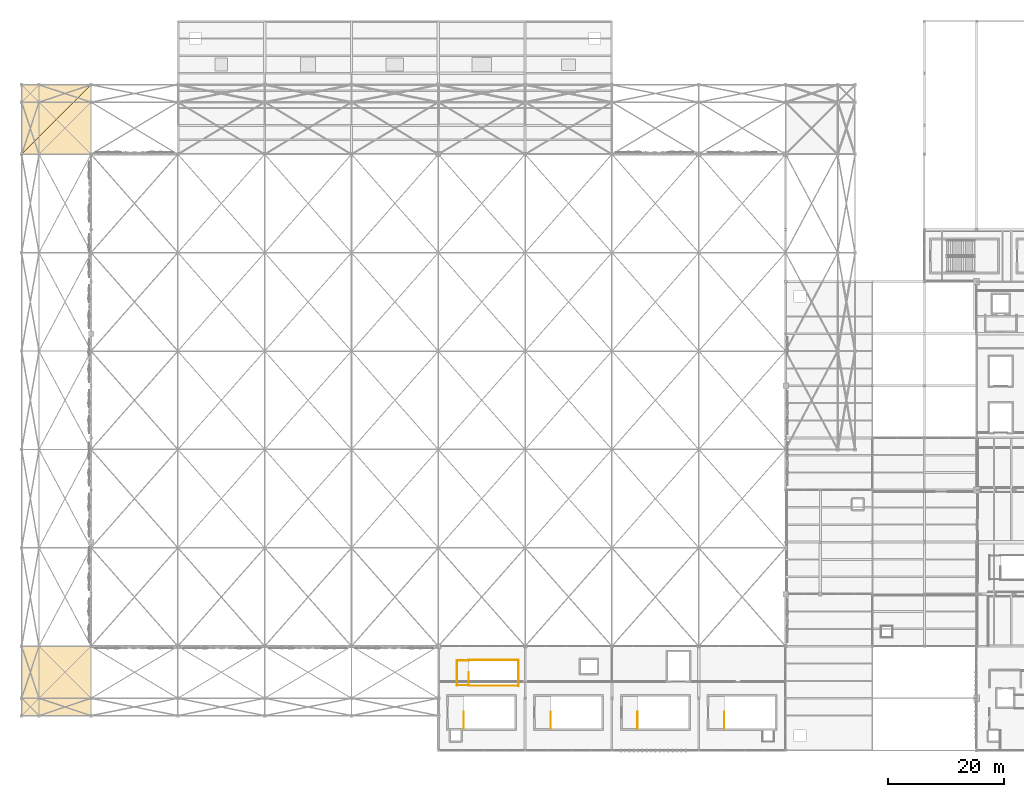
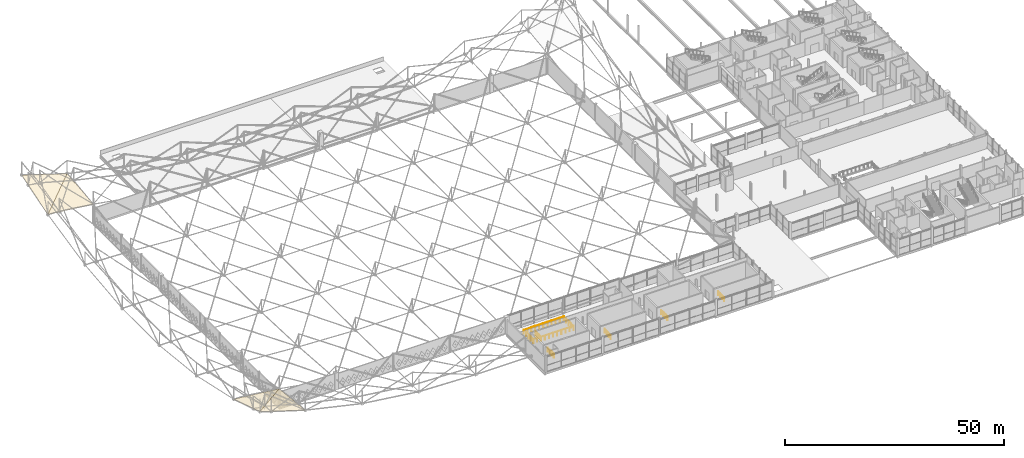
# One storey, part 215 of 224: 11 railings, 4 coverings.
"""IFC4 building model written with IfcOpenShell, lengths in metres."""

from ifc_helpers import new_model, si_unit, direction, frame, origin, origin_2d, place, context, subcontext, project, spatial, polyline, circle, outline, extrude, material, layer, layer_set, type_object, element, save


model = new_model("IFC4")

# Units and contexts
model_context = context("Model", 3, precision=1e-05, world=origin(), true_north=direction((0.0, 1.0)))
body_context = subcontext(model_context, "Body", "Model", "MODEL_VIEW")
ifc_project = project(units=[si_unit("LENGTHUNIT", "METRE"), si_unit("AREAUNIT", "SQUARE_METRE"), si_unit("VOLUMEUNIT", "CUBIC_METRE"), si_unit("PLANEANGLEUNIT", "RADIAN"), si_unit("MASSUNIT", "GRAM", prefix="KILO")], contexts=[model_context])

# Site, building, storey
site_placement = place(None, origin())
site = spatial("IfcSite", under=ifc_project, at=site_placement, CompositionType="ELEMENT")
building_placement = place(site_placement, origin())
building = spatial("IfcBuilding", under=site, at=building_placement, Name="Qamarlyn Nura Convention Centre", CompositionType="ELEMENT")
storey_placement = place(building_placement, frame((0.0, 0.0, 10.800048828125)))
storey = spatial("IfcBuildingStorey", under=building, at=storey_placement, Name="L02", CompositionType="ELEMENT", Elevation=10.800048828125)

# Coverings
ifc_material_1 = material(Name="High-albedo acoustic aluminium soffit", Category="aluminium")
ifc_layer = layer(ifc_material_1, 0.034912109375, Name="COV-SOFFIT-ALU")
ifc_layer_set = layer_set([ifc_layer], Name="High-albedo acoustic aluminium soffit")
covering_type = type_object("IfcCoveringType", Name="COV-SOFFIT-ALU", PredefinedType="CEILING", material=ifc_layer_set)
covering_1_placement = place(storey_placement, frame((-12.0, 6.0, 10.39990234375), z_axis=(0.29977009983, 0.10221979006, 0.948519373428), x_axis=(0.953514034323, 0.0, -0.301348612654)))
element("IfcCovering", 1, at=covering_1_placement, inside=storey, type_object=covering_type, Name="Exhibition swept corner soffit panel 12-6A", PredefinedType="CEILING", context=body_context, shape_type="SweptSolid", body=[
    extrude(outline(polyline([(0.0, 0.0), (12.585027139654894, 5.551115123125783e-17), (12.974735050111219, 12.063188936803007), (0.0, 0.0)])), origin(), (0.0, 0.0, -1.0), 0.034912109375),
])
covering_2_placement = place(storey_placement, frame((-12.0, 6.0, 10.39990234375), z_axis=(0.10221979006, 0.29977009983, 0.948519373428), x_axis=(0.677345580999, 0.677345580999, -0.287064326941)))
element("IfcCovering", 2, at=covering_2_placement, inside=storey, type_object=covering_type, Name="Exhibition swept corner soffit panel 12-6B", PredefinedType="CEILING", context=body_context, shape_type="SweptSolid", body=[
    extrude(outline(polyline([(0.0, 0.0), (17.716215085214756, 7.771561172376096e-16), (9.216832825187042, 8.56929990013215), (0.0, 0.0)])), origin(), (0.0, 0.0, -1.0), 0.034912109375),
])
covering_3_placement = place(storey_placement, frame((-12.0, 103.0, 6.607421875), z_axis=(0.106537528934, -0.106537528934, 0.988584599241), x_axis=(0.994243153282, 0.0, -0.10714733852)))
element("IfcCovering", 3, at=covering_3_placement, inside=storey, type_object=covering_type, Name="Exhibition swept corner soffit panel 12-103A", PredefinedType="CEILING", context=body_context, shape_type="SweptSolid", body=[
    extrude(outline(polyline([(0.0, 0.0), (12.0694821587539, 0.0), (11.930917839383687, 12.068686735095753), (0.0, 0.0)])), origin(), (0.0, 0.0, -1.0), 0.034912109375),
])
covering_4_placement = place(storey_placement, frame((-12.0, 103.0, 6.607421875), z_axis=(0.288532304668, -0.288532304668, 0.912961235938), x_axis=(0.707106781187, 0.707106781187, 0.0)))
element("IfcCovering", 4, at=covering_4_placement, inside=storey, type_object=covering_type, Name="Exhibition swept corner soffit panel 12-103B", PredefinedType="CEILING", context=body_context, shape_type="SweptSolid", body=[
    extrude(outline(polyline([(0.0, 0.0), (16.970562748477143, 0.0), (8.485281374238571, 9.294240587904438), (0.0, 0.0)])), origin(), (0.0, 0.0, -1.0), 0.034912109375),
])

# Railings
ifc_material_2 = material(Name="Marine Grade 316 stainless steel", Category="steel")
railing_type = type_object("IfcRailingType", Name="GRD-STAIR-112", PredefinedType="BALUSTRADE", material=ifc_material_2)
for number, where, name in (
    (5, (64.409912109375, 3.800048828125, 0.0), "L02 ST-05 top well guard 1"),
    (6, (79.409912109375, 3.800048828125, 0.0), "L02 ST-06 top well guard 1"),
    (7, (94.409912109375, 3.800048828125, 0.0), "L02 ST-07 top well guard 1"),
    (8, (109.409912109375, 3.800048828125, 0.0), "L02 ST-08 top well guard 1"),
):
    element("IfcRailing", number, at=place(storey_placement, frame(where)), inside=storey, type_object=railing_type, Name=name, PredefinedType="BALUSTRADE", context=body_context, shape_type="SweptSolid", body=[
        extrude(circle(Radius=0.02392578125, at=origin_2d()), frame((0.0, 0.0, 1.09619140625), z_axis=(0.0, 1.0, 0.0), x_axis=(-1.0, 0.0, 0.0)), (0.0, 0.0, 1.0), 2.83984375),
        extrude(circle(Radius=0.02099609375, at=origin_2d()), origin(), (0.0, 0.0, 1.0), 1.070068359375),
        extrude(circle(Radius=0.02099609375, at=origin_2d()), frame((0.0, 0.946533203125, 0.0)), (0.0, 0.0, 1.0), 1.070068359375),
        extrude(circle(Radius=0.02099609375, at=origin_2d()), frame((0.0, 1.893310546875, 0.0)), (0.0, 0.0, 1.0), 1.070068359375),
        extrude(circle(Radius=0.02099609375, at=origin_2d()), frame((0.0, 2.83984375, 0.0)), (0.0, 0.0, 1.0), 1.070068359375),
    ])
railing_1_placement = place(storey_placement, frame((65.25, 11.199951171875, 0.0)))
element("IfcRailing", 9, at=railing_1_placement, inside=storey, type_object=railing_type, Name="L02 ST-19 top well guard 1", PredefinedType="BALUSTRADE", context=body_context, shape_type="SweptSolid", body=[
    extrude(circle(Radius=0.02392578125, at=origin_2d()), frame((0.0, 0.0, 1.09619140625), z_axis=(0.0, 1.0, 0.0), x_axis=(-1.0, 0.0, 0.0)), (0.0, 0.0, 1.0), 2.280029296875),
    extrude(circle(Radius=0.02099609375, at=origin_2d()), origin(), (0.0, 0.0, 1.0), 1.070068359375),
    extrude(circle(Radius=0.02099609375, at=origin_2d()), frame((0.0, 1.14013671875, 0.0)), (0.0, 0.0, 1.0), 1.070068359375),
    extrude(circle(Radius=0.02099609375, at=origin_2d()), frame((0.0, 2.280029296875, 0.0)), (0.0, 0.0, 1.0), 1.070068359375),
])
for number, where, name in (
    (10, (65.199951171875, 11.14990234375, 0.0), "L02 ST-19 top well guard 2"),
    (11, (65.199951171875, 15.6298828125, 0.0), "L02 ST-19 top well guard 3"),
):
    element("IfcRailing", number, at=place(storey_placement, frame(where)), inside=storey, type_object=railing_type, Name=name, PredefinedType="BALUSTRADE", context=body_context, shape_type="SweptSolid", body=[
        extrude(circle(Radius=0.02392578125, at=origin_2d()), frame((0.0, 0.0, 1.09619140625), z_axis=(1.0, 0.0, 0.0), x_axis=(0.0, 1.0, 0.0)), (0.0, 0.0, 1.0), 8.699951171875),
        extrude(circle(Radius=0.02099609375, at=origin_2d()), origin(), (0.0, 0.0, 1.0), 1.070068359375),
        extrude(circle(Radius=0.02099609375, at=origin_2d()), frame((1.08740234375, 0.0, 0.0)), (0.0, 0.0, 1.0), 1.070068359375),
        extrude(circle(Radius=0.02099609375, at=origin_2d()), frame((2.175048828125, 0.0, 0.0)), (0.0, 0.0, 1.0), 1.070068359375),
        extrude(circle(Radius=0.02099609375, at=origin_2d()), frame((3.262451171875, 0.0, 0.0)), (0.0, 0.0, 1.0), 1.070068359375),
        extrude(circle(Radius=0.02099609375, at=origin_2d()), frame((4.35009765625, 0.0, 0.0)), (0.0, 0.0, 1.0), 1.070068359375),
        extrude(circle(Radius=0.02099609375, at=origin_2d()), frame((5.4375, 0.0, 0.0)), (0.0, 0.0, 1.0), 1.070068359375),
        extrude(circle(Radius=0.02099609375, at=origin_2d()), frame((6.52490234375, 0.0, 0.0)), (0.0, 0.0, 1.0), 1.070068359375),
        extrude(circle(Radius=0.02099609375, at=origin_2d()), frame((7.612548828125, 0.0, 0.0)), (0.0, 0.0, 1.0), 1.070068359375),
        extrude(circle(Radius=0.02099609375, at=origin_2d()), frame((8.699951171875, 0.0, 0.0)), (0.0, 0.0, 1.0), 1.070068359375),
    ])
railing_2_placement = place(storey_placement, frame((73.85009765625, 11.10009765625, 0.0)))
element("IfcRailing", 12, at=railing_2_placement, inside=storey, type_object=railing_type, Name="L02 ST-19 top well guard 4", PredefinedType="BALUSTRADE", context=body_context, shape_type="SweptSolid", body=[
    extrude(circle(Radius=0.02392578125, at=origin_2d()), frame((0.0, 0.0, 1.09619140625), z_axis=(0.0, 1.0, 0.0), x_axis=(-1.0, 0.0, 0.0)), (0.0, 0.0, 1.0), 4.579833984375),
    extrude(circle(Radius=0.02099609375, at=origin_2d()), origin(), (0.0, 0.0, 1.0), 1.070068359375),
    extrude(circle(Radius=0.02099609375, at=origin_2d()), frame((0.0, 1.14501953125, 0.0)), (0.0, 0.0, 1.0), 1.070068359375),
    extrude(circle(Radius=0.02099609375, at=origin_2d()), frame((0.0, 2.2900390625, 0.0)), (0.0, 0.0, 1.0), 1.070068359375),
    extrude(circle(Radius=0.02099609375, at=origin_2d()), frame((0.0, 3.434814453125, 0.0)), (0.0, 0.0, 1.0), 1.070068359375),
    extrude(circle(Radius=0.02099609375, at=origin_2d()), frame((0.0, 4.579833984375, 0.0)), (0.0, 0.0, 1.0), 1.070068359375),
])
for number, where, name in (
    (13, (63.199951171875, 11.25, 0.0), "L02 ST-19 top well guard 5"),
    (14, (63.199951171875, 15.530029296875, 0.0), "L02 ST-19 top well guard 6"),
):
    element("IfcRailing", number, at=place(storey_placement, frame(where)), inside=storey, type_object=railing_type, Name=name, PredefinedType="BALUSTRADE", context=body_context, shape_type="SweptSolid", body=[
        extrude(circle(Radius=0.02392578125, at=origin_2d()), frame((0.0, 0.0, 1.09619140625), z_axis=(1.0, 0.0, 0.0), x_axis=(0.0, 1.0, 0.0)), (0.0, 0.0, 1.0), 2.10009765625),
        extrude(circle(Radius=0.02099609375, at=origin_2d()), origin(), (0.0, 0.0, 1.0), 1.070068359375),
        extrude(circle(Radius=0.02099609375, at=origin_2d()), frame((1.050048828125, 0.0, 0.0)), (0.0, 0.0, 1.0), 1.070068359375),
        extrude(circle(Radius=0.02099609375, at=origin_2d()), frame((2.10009765625, 0.0, 0.0)), (0.0, 0.0, 1.0), 1.070068359375),
    ])
railing_3_placement = place(storey_placement, frame((63.25, 11.199951171875, 0.0)))
element("IfcRailing", 15, at=railing_3_placement, inside=storey, type_object=railing_type, Name="L02 ST-19 top well guard 7", PredefinedType="BALUSTRADE", context=body_context, shape_type="SweptSolid", body=[
    extrude(circle(Radius=0.02392578125, at=origin_2d()), frame((0.0, 0.0, 1.09619140625), z_axis=(0.0, 1.0, 0.0), x_axis=(-1.0, 0.0, 0.0)), (0.0, 0.0, 1.0), 4.380126953125),
    extrude(circle(Radius=0.02099609375, at=origin_2d()), origin(), (0.0, 0.0, 1.0), 1.070068359375),
    extrude(circle(Radius=0.02099609375, at=origin_2d()), frame((0.0, 1.094970703125, 0.0)), (0.0, 0.0, 1.0), 1.070068359375),
    extrude(circle(Radius=0.02099609375, at=origin_2d()), frame((0.0, 2.18994140625, 0.0)), (0.0, 0.0, 1.0), 1.070068359375),
    extrude(circle(Radius=0.02099609375, at=origin_2d()), frame((0.0, 3.28515625, 0.0)), (0.0, 0.0, 1.0), 1.070068359375),
    extrude(circle(Radius=0.02099609375, at=origin_2d()), frame((0.0, 4.380126953125, 0.0)), (0.0, 0.0, 1.0), 1.070068359375),
])

save(model, "model.ifc")
